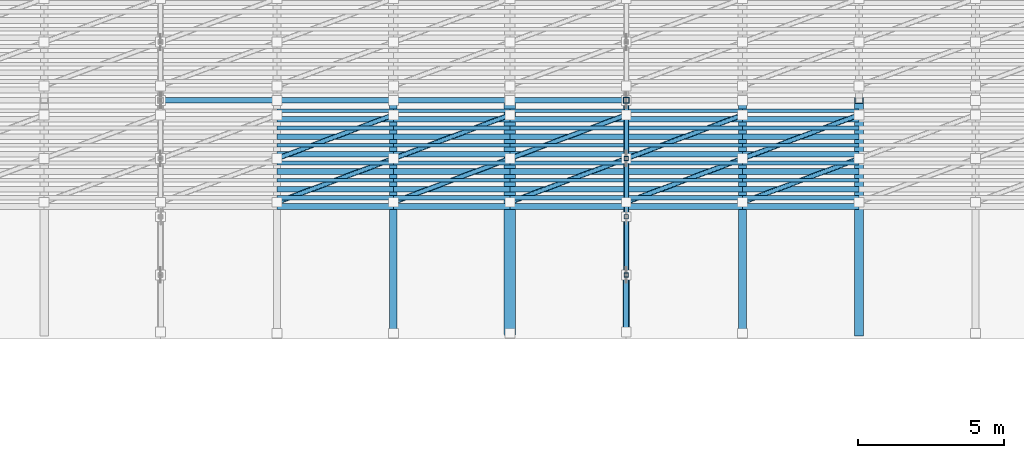
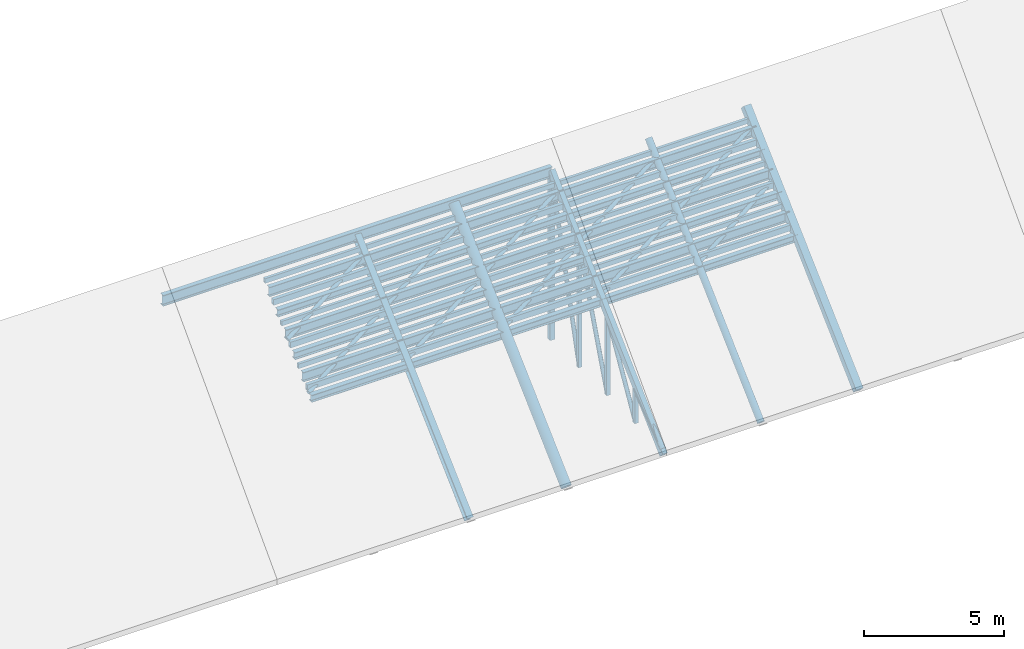
# One storey, part 5 of 18: 84 members.
"""IFC4 building model written with IfcOpenShell, lengths in metres."""

import ifcopenshell
import ifcopenshell.guid

model = None  # the IFC model being written
_history = None  # IfcOwnerHistory: only IFC2X3 demands one
_inside = {}  # id of a spatial element -> (the spatial element, [elements in it])
_under = {}  # id of a project, library or spatial element -> (it, [spatial elements below it])
_declared = {}  # id of a project -> (the project, [libraries it declares])
_typed = {}  # id of a type object -> (the type object, [elements of that type])
_made_of = {}  # id of a material, layer set ... -> (it, [elements and type objects made of it])


def new_model(schema):
    """Start an empty IFC model of exactly this schema.

    Asked for "IFC4X3", IfcOpenShell would pick the latest addendum, in which some entities
    have other attributes; the version numbers below select the first issue.
    IFC2X3 requires an IfcOwnerHistory on every rooted entity: one is made here for all.
    """
    global model, _history
    if schema == "IFC4X3":
        model = ifcopenshell.file(schema_version=(4, 3, 0, 0))
    else:
        model = ifcopenshell.file(schema=schema)
    _inside.clear()
    _under.clear()
    _declared.clear()
    _typed.clear()
    _made_of.clear()
    _history = None
    if model.schema == "IFC2X3":
        org = make("IfcOrganization", Name="unknown")
        user = make(
            "IfcPersonAndOrganization",
            ThePerson=make("IfcPerson", FamilyName="unknown"),
            TheOrganization=org,
        )
        app = make(
            "IfcApplication",
            ApplicationDeveloper=org,
            Version="unknown",
            ApplicationFullName="unknown",
            ApplicationIdentifier="unknown",
        )
        _history = make(
            "IfcOwnerHistory",
            OwningUser=user,
            OwningApplication=app,
            ChangeAction="ADDED",
            CreationDate=0,
        )
    return model


def make(cls, **values):
    """One entity of the class cls with the attributes given. An attribute that is None is left unset."""
    return model.create_entity(
        cls, **{name: value for name, value in values.items() if value is not None}
    )


def rooted(cls, **values):
    """An entity with a GlobalId (a new one), such as an element, a storey or a relation."""
    return make(cls, GlobalId=ifcopenshell.guid.new(), OwnerHistory=_history, **values)


def si_unit(unit_type, name, prefix=None):
    """IfcSIUnit, for example si_unit("LENGTHUNIT", "METRE", prefix="MILLI")."""
    return make("IfcSIUnit", UnitType=unit_type, Prefix=prefix, Name=name)


def assignment(units):
    """IfcUnitAssignment: the units of a project."""
    return None if units is None else make("IfcUnitAssignment", Units=units)


def point(xyz):
    """IfcCartesianPoint."""
    return None if xyz is None else make("IfcCartesianPoint", Coordinates=xyz)


def direction(xyz):
    """IfcDirection."""
    return None if xyz is None else make("IfcDirection", DirectionRatios=xyz)


def frame(location, z_axis=None, x_axis=None):
    """IfcAxis2Placement3D, a coordinate frame: its origin and axes. An axis left out is left unset."""
    return make(
        "IfcAxis2Placement3D",
        Location=point(location),
        Axis=direction(z_axis),
        RefDirection=direction(x_axis),
    )


def frame_2d(location, x_axis=None):
    """IfcAxis2Placement2D, a coordinate frame in the plane: its origin and x axis."""
    return make(
        "IfcAxis2Placement2D", Location=point(location), RefDirection=direction(x_axis)
    )


def origin():
    """The frame at (0, 0, 0) with its axes left unset."""
    return frame((0.0, 0.0, 0.0))


def origin_2d():
    """The frame at (0, 0) in the plane with its x axis left unset."""
    return frame_2d((0.0, 0.0))


def place(relative_to, where):
    """IfcLocalPlacement: puts the frame where relative to a parent placement (None: the world)."""
    return make(
        "IfcLocalPlacement", PlacementRelTo=relative_to, RelativePlacement=where
    )


def context(
    kind, dimensions, precision=None, world=None, true_north=None, identifier=None
):
    """IfcGeometricRepresentationContext, for example the 3D "Model" context."""
    return make(
        "IfcGeometricRepresentationContext",
        ContextIdentifier=identifier,
        ContextType=kind,
        CoordinateSpaceDimension=dimensions,
        Precision=precision,
        WorldCoordinateSystem=world,
        TrueNorth=true_north,
    )


def subcontext(parent, identifier, kind, view, scale=None):
    """IfcGeometricRepresentationSubContext, for example "Body" below "Model"."""
    return make(
        "IfcGeometricRepresentationSubContext",
        ContextIdentifier=identifier,
        ContextType=kind,
        ParentContext=parent,
        TargetScale=scale,
        TargetView=view,
    )


def project(units=None, contexts=None):
    """IfcProject with its units and contexts."""
    return rooted(
        "IfcProject",
        Name="project",
        RepresentationContexts=contexts,
        UnitsInContext=assignment(units),
    )


def spatial(cls, under=None, at=None, **own):
    """A site, building, storey or space (cls), placed at a placement, below another one or the project."""
    s = rooted(cls, ObjectPlacement=at, **own)
    if under is not None:
        _under.setdefault(under.id(), (under, []))[1].append(s)
    return s


def profile(cls, at=None, kind="AREA", **sizes):
    """A parametric profile (cls). Its sizes go by their IFC names, for example OverallWidth=200.0."""
    return make(cls, ProfileType=kind, Position=at, **sizes)


def hollow_rectangle(**sizes):
    """IfcRectangleHollowProfileDef."""
    return profile("IfcRectangleHollowProfileDef", **sizes)


def hollow_circle(**sizes):
    """IfcCircleHollowProfileDef."""
    return profile("IfcCircleHollowProfileDef", **sizes)


def i_section(**sizes):
    """IfcIShapeProfileDef."""
    return profile("IfcIShapeProfileDef", **sizes)


def extrude(swept, where, along, depth):
    """IfcExtrudedAreaSolid: the profile swept, set in the frame where, extruded along a direction by depth."""
    return make(
        "IfcExtrudedAreaSolid",
        SweptArea=swept,
        Position=where,
        ExtrudedDirection=direction(along),
        Depth=depth,
    )


def shape(context_of_items, identifier, shape_type, items):
    """IfcShapeRepresentation: the items that make up one representation, for example the "Body"."""
    return make(
        "IfcShapeRepresentation",
        ContextOfItems=context_of_items,
        RepresentationIdentifier=identifier,
        RepresentationType=shape_type,
        Items=items,
    )


def material(Name=None, Category=None):
    """IfcMaterial."""
    return make("IfcMaterial", Name=Name, Category=Category)


def material_profile(
    of_material, cross_section, Name=None, Category=None, Priority=None
):
    """IfcMaterialProfile: a cross section and its material."""
    return make(
        "IfcMaterialProfile",
        Name=Name,
        Material=of_material,
        Profile=cross_section,
        Priority=Priority,
        Category=Category,
    )


def profile_set(profiles, Name=None, composite=None):
    """IfcMaterialProfileSet."""
    return make(
        "IfcMaterialProfileSet",
        Name=Name,
        MaterialProfiles=profiles,
        CompositeProfile=composite,
    )


def made_of(thing, what):
    """Note that an element or type object is made of a material, layer set ...; save() writes the relation."""
    if what is not None:
        _made_of.setdefault(what.id(), (what, []))[1].append(thing)
    return thing


def type_object(cls, material=None, **own):
    """A type object (cls), such as IfcWallType, which elements share."""
    return made_of(rooted(cls, **own), material)


def element(
    cls,
    number,
    at=None,
    inside=None,
    cuts=None,
    type_object=None,
    material=None,
    context=None,
    identifier="Body",
    shape_type=None,
    held_by="IfcProductDefinitionShape",
    body=None,
    shapes=None,
    **own,
):
    """One element of the class cls, such as IfcWall. Its Tag is "e" and its number.

    at: its placement. inside: the storey or other place that contains it. cuts: it is an
    opening in that element (IfcRelVoidsElement). A single representation is given by context,
    identifier, shape_type and body (its items); several are given by shapes. held_by: the class
    of the entity that holds the representations. save() writes the other relations.
    """
    e = rooted(cls, Tag="e%d" % number, ObjectPlacement=at, **own)
    if body is not None:
        shapes = [shape(context, identifier, shape_type, body)]
    if shapes is not None:
        e.Representation = make(held_by, Representations=shapes)
    if inside is not None:
        _inside.setdefault(inside.id(), (inside, []))[1].append(e)
    if cuts is not None:
        rooted(
            "IfcRelVoidsElement", RelatingBuildingElement=cuts, RelatedOpeningElement=e
        )
    if type_object is not None:
        _typed.setdefault(type_object.id(), (type_object, []))[1].append(e)
    return made_of(e, material)


def aggregate(whole, parts):
    """IfcRelAggregates: a whole, such as a stair, and the parts it consists of."""
    return rooted("IfcRelAggregates", RelatingObject=whole, RelatedObjects=parts)


def save(model, path):
    """Write the relations noted so far, then the file.

    IfcRelAggregates (storeys below a building ...), IfcRelContainedInSpatialStructure (elements
    in a storey), IfcRelDefinesByType, IfcRelAssociatesMaterial and IfcRelDeclares: one each for
    every whole, place, type object, material and project.
    """
    for whole, parts in _under.values():
        aggregate(whole, parts)
    for where, things in _inside.values():
        rooted(
            "IfcRelContainedInSpatialStructure",
            RelatedElements=things,
            RelatingStructure=where,
        )
    for kind, things in _typed.values():
        rooted("IfcRelDefinesByType", RelatedObjects=things, RelatingType=kind)
    for what, things in _made_of.values():
        rooted("IfcRelAssociatesMaterial", RelatedObjects=things, RelatingMaterial=what)
    for by, libraries in _declared.values():
        rooted("IfcRelDeclares", RelatingContext=by, RelatedDefinitions=libraries)
    model.write(path)


model = new_model("IFC4")

# Units and contexts
model_context = context("Model", 3, precision=1e-05, world=origin(), true_north=direction((0.0, 1.0)))
body_context = subcontext(model_context, "Body", "Model", "MODEL_VIEW")
ifc_project = project(units=[si_unit("LENGTHUNIT", "METRE"), si_unit("AREAUNIT", "SQUARE_METRE"), si_unit("VOLUMEUNIT", "CUBIC_METRE"), si_unit("PLANEANGLEUNIT", "RADIAN"), si_unit("MASSUNIT", "GRAM", prefix="KILO")], contexts=[model_context])

# Site, building, storey
site_placement = place(None, origin())
site = spatial("IfcSite", under=ifc_project, at=site_placement, CompositionType="ELEMENT")
building_placement = place(site_placement, origin())
building = spatial("IfcBuilding", under=site, at=building_placement, Name="Serraluz Foothill Cableway Terminal", CompositionType="ELEMENT")
storey_placement = place(building_placement, frame((0.0, 0.0, 24.300048828125)))
storey = spatial("IfcBuildingStorey", under=building, at=storey_placement, Name="RF", CompositionType="ELEMENT", Elevation=24.300048828125)

# Members
ifc_material_1 = material(Name="Steel ASTM A572 Grade 50", Category="steel")
ifc_material_profile_1 = material_profile(ifc_material_1, hollow_circle(Radius=0.084228515625, WallThickness=0.010009765625, at=origin_2d()), Name="CHS168X10")
ifc_profile_set_1 = profile_set([ifc_material_profile_1], Name="Steel ASTM A572 Grade 50")
member_type_1 = type_object("IfcMemberType", Name="TYP-BR-CHS168", PredefinedType="BRACE", material=ifc_profile_set_1)
member_1_placement = place(storey_placement, frame((88.0, 58.0302734375, -4.568115234375), z_axis=(0.0, 0.502584169831, 0.864528283074), x_axis=(-1.0, 0.0, 0.0)))
element("IfcMember", 1, at=member_1_placement, inside=storey, type_object=member_type_1, Name="ROOF TRUSS TR-04 Diagonal 2", PredefinedType="BRACE", context=body_context, shape_type="SweptSolid", body=[
    extrude(hollow_circle(Radius=0.084228515625, WallThickness=0.010009765625, at=origin_2d()), origin(), (0.0, 0.0, 1.0), 3.85888671875),
])
member_2_placement = place(storey_placement, frame((88.0, 60.02099609375, -4.56396484375), z_axis=(0.0, 0.352230195063, 0.935913398604), x_axis=(-1.0, 0.0, 0.0)))
element("IfcMember", 2, at=member_2_placement, inside=storey, type_object=member_type_1, Name="ROOF TRUSS TR-04 Diagonal 3", PredefinedType="BRACE", context=body_context, shape_type="SweptSolid", body=[
    extrude(hollow_circle(Radius=0.084228515625, WallThickness=0.010009765625, at=origin_2d()), origin(), (0.0, 0.0, 1.0), 5.558837890625),
])
member_3_placement = place(storey_placement, frame((88.0, 62.01611328125, -4.562255859375), z_axis=(0.0, 0.26797823219, 0.963424967017), x_axis=(-1.0, 0.0, 0.0)))
element("IfcMember", 3, at=member_3_placement, inside=storey, type_object=member_type_1, Name="ROOF TRUSS TR-04 Diagonal 4", PredefinedType="BRACE", context=body_context, shape_type="SweptSolid", body=[
    extrude(hollow_circle(Radius=0.084228515625, WallThickness=0.010009765625, at=origin_2d()), origin(), (0.0, 0.0, 1.0), 7.343017578125),
])
for number, where, z_axis, x_axis, name in (
    (4, (76.0, 60.5, -0.641357421875), (0.889382269185, 0.333518350944, 0.31267345401), (-0.351123441588, 0.936329177569, 0.0), "Roof Lateral Wind Brace 0277"),
    (5, (76.0, 62.0, 0.764892578125), (0.889382269185, 0.333518350944, 0.31267345401), (-0.351123441588, 0.936329177569, 0.0), "Roof Lateral Wind Brace 0278"),
    (6, (80.0, 60.5, -0.641357421875), (0.889382269185, 0.333518350944, 0.31267345401), (-0.351123441588, 0.936329177569, 0.0), "Roof Lateral Wind Brace 0305"),
    (7, (80.0, 62.0, 0.764892578125), (0.889382269185, 0.333518350944, 0.31267345401), (-0.351123441588, 0.936329177569, 0.0), "Roof Lateral Wind Brace 0306"),
    (8, (84.0, 60.5, -0.641357421875), (0.889382269185, 0.333518350944, 0.31267345401), (-0.351123441588, 0.936329177569, 0.0), "Roof Lateral Wind Brace 0333"),
    (9, (84.0, 62.0, 0.764892578125), (0.889382269185, 0.333518350944, 0.31267345401), (-0.351123441588, 0.936329177569, 0.0), "Roof Lateral Wind Brace 0334"),
    (10, (88.0, 60.5, -0.641357421875), (0.889382269185, 0.333518350944, 0.31267345401), (-0.351123441588, 0.936329177569, 0.0), "Roof Lateral Wind Brace 0361"),
    (11, (88.0, 62.0, 0.764892578125), (0.889382269185, 0.333518350944, 0.31267345401), (-0.351123441588, 0.936329177569, 0.0), "Roof Lateral Wind Brace 0362"),
    (12, (92.0, 60.5, -0.641357421875), (0.889382269185, 0.333518350944, 0.31267345401), (-0.351123441588, 0.936329177569, 0.0), "Roof Lateral Wind Brace 0389"),
    (13, (92.0, 62.0, 0.764892578125), (0.889382269185, 0.333518350944, 0.31267345401), (-0.351123441588, 0.936329177569, 0.0), "Roof Lateral Wind Brace 0390"),
):
    element("IfcMember", number, at=place(storey_placement, frame(where, z_axis=z_axis, x_axis=x_axis)), inside=storey, type_object=member_type_1, Name=name, PredefinedType="BRACE", context=body_context, shape_type="SweptSolid", body=[
        extrude(hollow_circle(Radius=0.084228515625, WallThickness=0.010009765625, at=origin_2d()), origin(), (0.0, 0.0, 1.0), 4.49755859375),
    ])
ifc_material_profile_2 = material_profile(ifc_material_1, hollow_circle(Radius=0.109619140625, WallThickness=0.011962890625, at=origin_2d()), Name="CHS219X12")
ifc_profile_set_2 = profile_set([ifc_material_profile_2], Name="Steel ASTM A572 Grade 50")
member_type_2 = type_object("IfcMemberType", Name="TYP-BR-CHS219", PredefinedType="BRACE", material=ifc_profile_set_2)
member_4_placement = place(storey_placement, frame((88.0, 56.04736328125, -4.5830078125), z_axis=(0.0, 0.787528424659, 0.616278330265), x_axis=(-1.0, 0.0, 0.0)))
element("IfcMember", 14, at=member_4_placement, inside=storey, type_object=member_type_2, Name="ROOF TRUSS TR-04 Diagonal 1", PredefinedType="BRACE", context=body_context, shape_type="SweptSolid", body=[
    extrude(hollow_circle(Radius=0.109619140625, WallThickness=0.011962890625, at=origin_2d()), origin(), (0.0, 0.0, 1.0), 2.419189453125),
])
ifc_material_profile_3 = material_profile(ifc_material_1, hollow_circle(Radius=0.136474609375, WallThickness=0.011962890625, at=origin_2d()), Name="CHS273X12")
ifc_profile_set_3 = profile_set([ifc_material_profile_3], Name="Steel ASTM A572 Grade 50")
member_type_3 = type_object("IfcMemberType", Name="TYP-BR-CHS273", PredefinedType="BRACE", material=ifc_profile_set_3)
member_5_placement = place(storey_placement, frame((92.0, 56.0, -4.800048828125), z_axis=(0.0, 0.72953720414, 0.683941128881), x_axis=(-1.0, 0.0, 0.0)))
element("IfcMember", 15, at=member_5_placement, inside=storey, type_object=member_type_3, Name="Secondary Roof Rafter 0019", PredefinedType="BRACE", context=body_context, shape_type="SweptSolid", body=[
    extrude(hollow_circle(Radius=0.136474609375, WallThickness=0.011962890625, at=origin_2d()), origin(), (0.0, 0.0, 1.0), 10.9658203125),
])
ifc_material_profile_4 = material_profile(ifc_material_1, hollow_rectangle(XDim=0.14990234375, YDim=0.14990234375, WallThickness=0.010009765625, at=origin_2d()), Name="HSS150X150X10")
ifc_profile_set_4 = profile_set([ifc_material_profile_4], Name="Steel ASTM A572 Grade 50")
member_type_4 = type_object("IfcMemberType", Name="TYP-BR-HSS150", PredefinedType="BRACE", material=ifc_profile_set_4)
member_6_placement = place(storey_placement, frame((88.0, 58.0, -4.610107421875), z_axis=(0.0, 0.0, 1.0), x_axis=(1.0, 0.0, 0.0)))
element("IfcMember", 16, at=member_6_placement, inside=storey, type_object=member_type_4, Name="ROOF TRUSS TR-04 Web Post 1", PredefinedType="BRACE", context=body_context, shape_type="SweptSolid", body=[
    extrude(hollow_rectangle(XDim=0.14990234375, YDim=0.14990234375, WallThickness=0.010009765625, at=origin_2d()), origin(), (0.0, 0.0, 1.0), 1.545166015625),
])
member_7_placement = place(storey_placement, frame((88.0, 60.0, -4.610107421875), z_axis=(0.0, 0.0, 1.0), x_axis=(1.0, 0.0, 0.0)))
element("IfcMember", 17, at=member_7_placement, inside=storey, type_object=member_type_4, Name="ROOF TRUSS TR-04 Web Post 2", PredefinedType="BRACE", context=body_context, shape_type="SweptSolid", body=[
    extrude(hollow_rectangle(XDim=0.14990234375, YDim=0.14990234375, WallThickness=0.010009765625, at=origin_2d()), origin(), (0.0, 0.0, 1.0), 3.420166015625),
])
member_8_placement = place(storey_placement, frame((88.0, 62.0, -4.610107421875), z_axis=(0.0, 0.0, 1.0), x_axis=(1.0, 0.0, 0.0)))
element("IfcMember", 18, at=member_8_placement, inside=storey, type_object=member_type_4, Name="ROOF TRUSS TR-04 Web Post 3", PredefinedType="BRACE", context=body_context, shape_type="SweptSolid", body=[
    extrude(hollow_rectangle(XDim=0.14990234375, YDim=0.14990234375, WallThickness=0.010009765625, at=origin_2d()), origin(), (0.0, 0.0, 1.0), 5.295166015625),
])
ifc_material_profile_5 = material_profile(ifc_material_1, hollow_rectangle(XDim=0.199951171875, YDim=0.199951171875, WallThickness=0.011962890625, at=origin_2d()), Name="HSS200X200X12")
ifc_profile_set_5 = profile_set([ifc_material_profile_5], Name="Steel ASTM A572 Grade 50")
member_type_5 = type_object("IfcMemberType", Name="TYP-BR-HSS200", PredefinedType="BRACE", material=ifc_profile_set_5)
member_9_placement = place(storey_placement, frame((88.0, 64.0, -4.610107421875), z_axis=(0.0, 0.0, 1.0), x_axis=(1.0, 0.0, 0.0)))
element("IfcMember", 19, at=member_9_placement, inside=storey, type_object=member_type_5, Name="ROOF TRUSS TR-04 Web Post 4", PredefinedType="BRACE", context=body_context, shape_type="SweptSolid", body=[
    extrude(hollow_rectangle(XDim=0.199951171875, YDim=0.199951171875, WallThickness=0.011962890625, at=origin_2d()), origin(), (0.0, 0.0, 1.0), 7.170166015625),
])
ifc_material_profile_6 = material_profile(ifc_material_1, hollow_rectangle(XDim=0.300048828125, YDim=0.300048828125, WallThickness=0.01611328125, at=origin_2d()), Name="HSS300X300X16")
ifc_profile_set_6 = profile_set([ifc_material_profile_6], Name="Steel ASTM A572 Grade 50")
member_type_6 = type_object("IfcMemberType", Name="TYP-CH-HSS300", PredefinedType="CHORD", material=ifc_profile_set_6)
member_10_placement = place(storey_placement, frame((96.0, 56.0, -4.800048828125), z_axis=(0.0, 0.72953720414, 0.683941128881), x_axis=(-1.0, 0.0, 0.0)))
element("IfcMember", 20, at=member_10_placement, inside=storey, type_object=member_type_6, Name="Secondary Roof Rafter 0021", PredefinedType="CHORD", context=body_context, shape_type="SweptSolid", body=[
    extrude(hollow_rectangle(XDim=0.300048828125, YDim=0.300048828125, WallThickness=0.01611328125, at=origin_2d()), origin(), (0.0, 0.0, 1.0), 10.9658203125),
])
ifc_material_profile_7 = material_profile(ifc_material_1, hollow_rectangle(XDim=0.199951171875, YDim=0.300048828125, WallThickness=0.011962890625, at=origin_2d()), Name="HSS300X200X12")
ifc_profile_set_7 = profile_set([ifc_material_profile_7], Name="Steel ASTM A572 Grade 50")
member_type_7 = type_object("IfcMemberType", Name="TYP-CH-HSS300X200", PredefinedType="CHORD", material=ifc_profile_set_7)
member_11_placement = place(storey_placement, frame((88.0, 56.0, -4.800048828125), z_axis=(0.0, 0.72953720414, 0.683941128881), x_axis=(-1.0, 0.0, 0.0)))
element("IfcMember", 21, at=member_11_placement, inside=storey, type_object=member_type_7, Name="ROOF TRUSS TR-04 Top Chord 1", PredefinedType="CHORD", context=body_context, shape_type="SweptSolid", body=[
    extrude(hollow_rectangle(XDim=0.199951171875, YDim=0.300048828125, WallThickness=0.011962890625, at=origin_2d()), origin(), (0.0, 0.0, 1.0), 10.9658203125),
])
ifc_material_profile_8 = material_profile(ifc_material_1, hollow_rectangle(XDim=0.1201171875, YDim=0.199951171875, WallThickness=0.008056640625, at=origin_2d()), Name="HSS200X120X8")
ifc_profile_set_8 = profile_set([ifc_material_profile_8], Name="Steel ASTM A572 Grade 50")
member_type_8 = type_object("IfcMemberType", Name="TYP-PR-HSS200X120", PredefinedType="PURLIN", material=ifc_profile_set_8)
for number, where, z_axis, x_axis, name in (
    (22, (76.0, 61.25, 0.081787109375), (1.0, 0.0, 0.0), (0.0, 1.0, 0.0), "Secondary Roof Purlin 0256"),
    (23, (76.0, 62.449951171875, 1.206787109375), (1.0, 0.0, 0.0), (0.0, 1.0, 0.0), "Secondary Roof Purlin 0260"),
    (24, (76.0, 63.64990234375, 2.331787109375), (1.0, 0.0, 0.0), (0.0, 1.0, 0.0), "Secondary Roof Purlin 0264"),
    (25, (80.0, 61.25, 0.081787109375), (1.0, 0.0, 0.0), (0.0, 1.0, 0.0), "Secondary Roof Purlin 0284"),
    (26, (80.0, 62.449951171875, 1.206787109375), (1.0, 0.0, 0.0), (0.0, 1.0, 0.0), "Secondary Roof Purlin 0288"),
    (27, (80.0, 63.64990234375, 2.331787109375), (1.0, 0.0, 0.0), (0.0, 1.0, 0.0), "Secondary Roof Purlin 0292"),
    (28, (84.0, 61.25, 0.081787109375), (1.0, 0.0, 0.0), (0.0, 1.0, 0.0), "Secondary Roof Purlin 0312"),
    (29, (84.0, 62.449951171875, 1.206787109375), (1.0, 0.0, 0.0), (0.0, 1.0, 0.0), "Secondary Roof Purlin 0316"),
    (30, (84.0, 63.64990234375, 2.331787109375), (1.0, 0.0, 0.0), (0.0, 1.0, 0.0), "Secondary Roof Purlin 0320"),
    (31, (88.0, 61.25, 0.081787109375), (1.0, 0.0, 0.0), (0.0, 1.0, 0.0), "Secondary Roof Purlin 0340"),
    (32, (88.0, 62.449951171875, 1.206787109375), (1.0, 0.0, 0.0), (0.0, 1.0, 0.0), "Secondary Roof Purlin 0344"),
    (33, (88.0, 63.64990234375, 2.331787109375), (1.0, 0.0, 0.0), (0.0, 1.0, 0.0), "Secondary Roof Purlin 0348"),
    (34, (92.0, 61.25, 0.081787109375), (1.0, 0.0, 0.0), (0.0, 1.0, 0.0), "Secondary Roof Purlin 0368"),
    (35, (92.0, 62.449951171875, 1.206787109375), (1.0, 0.0, 0.0), (0.0, 1.0, 0.0), "Secondary Roof Purlin 0372"),
    (36, (92.0, 63.64990234375, 2.331787109375), (1.0, 0.0, 0.0), (0.0, 1.0, 0.0), "Secondary Roof Purlin 0376"),
):
    element("IfcMember", number, at=place(storey_placement, frame(where, z_axis=z_axis, x_axis=x_axis)), inside=storey, type_object=member_type_8, Name=name, PredefinedType="PURLIN", context=body_context, shape_type="SweptSolid", body=[
        extrude(hollow_rectangle(XDim=0.1201171875, YDim=0.199951171875, WallThickness=0.008056640625, at=origin_2d()), origin(), (0.0, 0.0, 1.0), 4.0),
    ])
ifc_material_profile_9 = material_profile(ifc_material_1, hollow_rectangle(XDim=0.14990234375, YDim=0.25, WallThickness=0.010009765625, at=origin_2d()), Name="HSS250X150X10")
ifc_profile_set_9 = profile_set([ifc_material_profile_9], Name="Steel ASTM A572 Grade 50")
member_type_9 = type_object("IfcMemberType", Name="TYP-PR-HSS250X150", PredefinedType="PURLIN", material=ifc_profile_set_9)
for number, where, z_axis, x_axis, name in (
    (37, (76.0, 60.64990234375, -0.480712890625), (1.0, 0.0, 0.0), (0.0, 1.0, 0.0), "Secondary Roof Purlin 0254"),
    (38, (76.0, 61.85009765625, 0.644287109375), (1.0, 0.0, 0.0), (0.0, 1.0, 0.0), "Secondary Roof Purlin 0258"),
    (39, (76.0, 63.050048828125, 1.769287109375), (1.0, 0.0, 0.0), (0.0, 1.0, 0.0), "Secondary Roof Purlin 0262"),
    (40, (80.0, 60.64990234375, -0.480712890625), (1.0, 0.0, 0.0), (0.0, 1.0, 0.0), "Secondary Roof Purlin 0282"),
    (41, (80.0, 61.85009765625, 0.644287109375), (1.0, 0.0, 0.0), (0.0, 1.0, 0.0), "Secondary Roof Purlin 0286"),
    (42, (80.0, 63.050048828125, 1.769287109375), (1.0, 0.0, 0.0), (0.0, 1.0, 0.0), "Secondary Roof Purlin 0290"),
    (43, (84.0, 60.64990234375, -0.480712890625), (1.0, 0.0, 0.0), (0.0, 1.0, 0.0), "Secondary Roof Purlin 0310"),
    (44, (84.0, 61.85009765625, 0.644287109375), (1.0, 0.0, 0.0), (0.0, 1.0, 0.0), "Secondary Roof Purlin 0314"),
    (45, (84.0, 63.050048828125, 1.769287109375), (1.0, 0.0, 0.0), (0.0, 1.0, 0.0), "Secondary Roof Purlin 0318"),
    (46, (88.0, 60.64990234375, -0.480712890625), (1.0, 0.0, 0.0), (0.0, 1.0, 0.0), "Secondary Roof Purlin 0338"),
    (47, (88.0, 61.85009765625, 0.644287109375), (1.0, 0.0, 0.0), (0.0, 1.0, 0.0), "Secondary Roof Purlin 0342"),
    (48, (88.0, 63.050048828125, 1.769287109375), (1.0, 0.0, 0.0), (0.0, 1.0, 0.0), "Secondary Roof Purlin 0346"),
    (49, (92.0, 60.64990234375, -0.480712890625), (1.0, 0.0, 0.0), (0.0, 1.0, 0.0), "Secondary Roof Purlin 0366"),
    (50, (92.0, 61.85009765625, 0.644287109375), (1.0, 0.0, 0.0), (0.0, 1.0, 0.0), "Secondary Roof Purlin 0370"),
    (51, (92.0, 63.050048828125, 1.769287109375), (1.0, 0.0, 0.0), (0.0, 1.0, 0.0), "Secondary Roof Purlin 0374"),
):
    element("IfcMember", number, at=place(storey_placement, frame(where, z_axis=z_axis, x_axis=x_axis)), inside=storey, type_object=member_type_9, Name=name, PredefinedType="PURLIN", context=body_context, shape_type="SweptSolid", body=[
        extrude(hollow_rectangle(XDim=0.14990234375, YDim=0.25, WallThickness=0.010009765625, at=origin_2d()), origin(), (0.0, 0.0, 1.0), 4.0),
    ])
ifc_material_2 = material(Name="Steel ASTM A992 Grade 50", Category="steel")
ifc_material_profile_10 = material_profile(ifc_material_2, i_section(OverallWidth=0.205078125, OverallDepth=0.31005859375, WebThickness=0.009521484375, FlangeThickness=0.016357421875, FilletRadius=0.012939453125, at=origin_2d()), Name="W12X50")
ifc_profile_set_10 = profile_set([ifc_material_profile_10], Name="Steel ASTM A992 Grade 50")
member_type_10 = type_object("IfcMemberType", Name="TYP-PR-W12X50", PredefinedType="PURLIN", material=ifc_profile_set_10)
for number, where, z_axis, x_axis, name in (
    (52, (76.0, 60.35009765625, -0.761962890625), (1.0, 0.0, 0.0), (0.0, 1.0, 0.0), "Secondary Roof Purlin 0253"),
    (53, (76.0, 61.550048828125, 0.363037109375), (1.0, 0.0, 0.0), (0.0, 1.0, 0.0), "Secondary Roof Purlin 0257"),
    (54, (76.0, 62.75, 1.488037109375), (1.0, 0.0, 0.0), (0.0, 1.0, 0.0), "Secondary Roof Purlin 0261"),
    (55, (80.0, 60.35009765625, -0.761962890625), (1.0, 0.0, 0.0), (0.0, 1.0, 0.0), "Secondary Roof Purlin 0281"),
    (56, (80.0, 61.550048828125, 0.363037109375), (1.0, 0.0, 0.0), (0.0, 1.0, 0.0), "Secondary Roof Purlin 0285"),
    (57, (80.0, 62.75, 1.488037109375), (1.0, 0.0, 0.0), (0.0, 1.0, 0.0), "Secondary Roof Purlin 0289"),
    (58, (84.0, 60.35009765625, -0.761962890625), (1.0, 0.0, 0.0), (0.0, 1.0, 0.0), "Secondary Roof Purlin 0309"),
    (59, (84.0, 61.550048828125, 0.363037109375), (1.0, 0.0, 0.0), (0.0, 1.0, 0.0), "Secondary Roof Purlin 0313"),
    (60, (84.0, 62.75, 1.488037109375), (1.0, 0.0, 0.0), (0.0, 1.0, 0.0), "Secondary Roof Purlin 0317"),
    (61, (88.0, 60.35009765625, -0.761962890625), (1.0, 0.0, 0.0), (0.0, 1.0, 0.0), "Secondary Roof Purlin 0337"),
    (62, (88.0, 61.550048828125, 0.363037109375), (1.0, 0.0, 0.0), (0.0, 1.0, 0.0), "Secondary Roof Purlin 0341"),
    (63, (88.0, 62.75, 1.488037109375), (1.0, 0.0, 0.0), (0.0, 1.0, 0.0), "Secondary Roof Purlin 0345"),
    (64, (92.0, 60.35009765625, -0.761962890625), (1.0, 0.0, 0.0), (0.0, 1.0, 0.0), "Secondary Roof Purlin 0365"),
    (65, (92.0, 61.550048828125, 0.363037109375), (1.0, 0.0, 0.0), (0.0, 1.0, 0.0), "Secondary Roof Purlin 0369"),
    (66, (92.0, 62.75, 1.488037109375), (1.0, 0.0, 0.0), (0.0, 1.0, 0.0), "Secondary Roof Purlin 0373"),
):
    element("IfcMember", number, at=place(storey_placement, frame(where, z_axis=z_axis, x_axis=x_axis)), inside=storey, type_object=member_type_10, Name=name, PredefinedType="PURLIN", context=body_context, shape_type="SweptSolid", body=[
        extrude(i_section(OverallWidth=0.205078125, OverallDepth=0.31005859375, WebThickness=0.009521484375, FlangeThickness=0.016357421875, FilletRadius=0.012939453125, at=origin_2d()), origin(), (0.0, 0.0, 1.0), 4.0),
    ])
ifc_material_profile_11 = material_profile(ifc_material_2, i_section(OverallWidth=0.180908203125, OverallDepth=0.4169921875, WebThickness=0.010986328125, FlangeThickness=0.018310546875, FilletRadius=0.013916015625, at=origin_2d()), Name="W16X57")
ifc_profile_set_11 = profile_set([ifc_material_profile_11], Name="Steel ASTM A992 Grade 50")
member_type_11 = type_object("IfcMemberType", Name="TYP-PR-W16X57", PredefinedType="PURLIN", material=ifc_profile_set_11)
for number, where, z_axis, x_axis, name in (
    (67, (76.0, 60.949951171875, -0.199462890625), (1.0, 0.0, 0.0), (0.0, 1.0, 0.0), "Secondary Roof Purlin 0255"),
    (68, (76.0, 62.14990234375, 0.925537109375), (1.0, 0.0, 0.0), (0.0, 1.0, 0.0), "Secondary Roof Purlin 0259"),
    (69, (76.0, 63.35009765625, 2.050537109375), (1.0, 0.0, 0.0), (0.0, 1.0, 0.0), "Secondary Roof Purlin 0263"),
    (70, (80.0, 60.949951171875, -0.199462890625), (1.0, 0.0, 0.0), (0.0, 1.0, 0.0), "Secondary Roof Purlin 0283"),
    (71, (80.0, 62.14990234375, 0.925537109375), (1.0, 0.0, 0.0), (0.0, 1.0, 0.0), "Secondary Roof Purlin 0287"),
    (72, (80.0, 63.35009765625, 2.050537109375), (1.0, 0.0, 0.0), (0.0, 1.0, 0.0), "Secondary Roof Purlin 0291"),
    (73, (84.0, 60.949951171875, -0.199462890625), (1.0, 0.0, 0.0), (0.0, 1.0, 0.0), "Secondary Roof Purlin 0311"),
    (74, (84.0, 62.14990234375, 0.925537109375), (1.0, 0.0, 0.0), (0.0, 1.0, 0.0), "Secondary Roof Purlin 0315"),
    (75, (84.0, 63.35009765625, 2.050537109375), (1.0, 0.0, 0.0), (0.0, 1.0, 0.0), "Secondary Roof Purlin 0319"),
    (76, (88.0, 60.949951171875, -0.199462890625), (1.0, 0.0, 0.0), (0.0, 1.0, 0.0), "Secondary Roof Purlin 0339"),
    (77, (88.0, 62.14990234375, 0.925537109375), (1.0, 0.0, 0.0), (0.0, 1.0, 0.0), "Secondary Roof Purlin 0343"),
    (78, (88.0, 63.35009765625, 2.050537109375), (1.0, 0.0, 0.0), (0.0, 1.0, 0.0), "Secondary Roof Purlin 0347"),
    (79, (92.0, 60.949951171875, -0.199462890625), (1.0, 0.0, 0.0), (0.0, 1.0, 0.0), "Secondary Roof Purlin 0367"),
    (80, (92.0, 62.14990234375, 0.925537109375), (1.0, 0.0, 0.0), (0.0, 1.0, 0.0), "Secondary Roof Purlin 0371"),
    (81, (92.0, 63.35009765625, 2.050537109375), (1.0, 0.0, 0.0), (0.0, 1.0, 0.0), "Secondary Roof Purlin 0375"),
):
    element("IfcMember", number, at=place(storey_placement, frame(where, z_axis=z_axis, x_axis=x_axis)), inside=storey, type_object=member_type_11, Name=name, PredefinedType="PURLIN", context=body_context, shape_type="SweptSolid", body=[
        extrude(i_section(OverallWidth=0.180908203125, OverallDepth=0.4169921875, WebThickness=0.010986328125, FlangeThickness=0.018310546875, FilletRadius=0.013916015625, at=origin_2d()), origin(), (0.0, 0.0, 1.0), 4.0),
    ])
ifc_material_profile_12 = material_profile(ifc_material_2, i_section(OverallWidth=0.193115234375, OverallDepth=0.467041015625, WebThickness=0.011474609375, FlangeThickness=0.01904296875, FilletRadius=0.014892578125, at=origin_2d()), Name="W18X65")
ifc_profile_set_12 = profile_set([ifc_material_profile_12], Name="Steel ASTM A992 Grade 50")
member_type_12 = type_object("IfcMemberType", Name="TYP-PR-W18X65", PredefinedType="PURLIN", material=ifc_profile_set_12)
member_12_placement = place(storey_placement, frame((72.0, 64.0, 2.679931640625), z_axis=(1.0, 0.0, 0.0), x_axis=(0.0, 1.0, 0.0)))
element("IfcMember", 82, at=member_12_placement, inside=storey, type_object=member_type_12, Name="Primary Roof Ridge/Eave Purlin 3-64", PredefinedType="PURLIN", context=body_context, shape_type="SweptSolid", body=[
    extrude(i_section(OverallWidth=0.193115234375, OverallDepth=0.467041015625, WebThickness=0.011474609375, FlangeThickness=0.01904296875, FilletRadius=0.014892578125, at=origin_2d()), origin(), (0.0, 0.0, 1.0), 16.0),
])
ifc_material_profile_13 = material_profile(ifc_material_1, hollow_circle(Radius=0.203125, WallThickness=0.01611328125, at=origin_2d()), Name="CHS406X16")
ifc_profile_set_13 = profile_set([ifc_material_profile_13], Name="Steel ASTM A572 Grade 50")
member_type_13 = type_object("IfcMemberType", Name="TYP-ST-CHS406", PredefinedType="STRUT", material=ifc_profile_set_13)
member_13_placement = place(storey_placement, frame((84.0, 56.0, -4.800048828125), z_axis=(0.0, 0.72953720414, 0.683941128881), x_axis=(-1.0, 0.0, 0.0)))
element("IfcMember", 83, at=member_13_placement, inside=storey, type_object=member_type_13, Name="Secondary Roof Rafter 0017", PredefinedType="STRUT", context=body_context, shape_type="SweptSolid", body=[
    extrude(hollow_circle(Radius=0.203125, WallThickness=0.01611328125, at=origin_2d()), origin(), (0.0, 0.0, 1.0), 10.9658203125),
])
ifc_material_profile_14 = material_profile(ifc_material_2, i_section(OverallWidth=0.25390625, OverallDepth=0.31103515625, WebThickness=0.010986328125, FlangeThickness=0.01708984375, FilletRadius=0.012939453125, at=origin_2d()), Name="W12X72")
ifc_profile_set_14 = profile_set([ifc_material_profile_14], Name="Steel ASTM A992 Grade 50")
member_type_14 = type_object("IfcMemberType", Name="TYP-ST-W12X72", PredefinedType="STRUT", material=ifc_profile_set_14)
member_14_placement = place(storey_placement, frame((80.0, 56.0, -4.800048828125), z_axis=(0.0, 0.72953720414, 0.683941128881), x_axis=(-1.0, 0.0, 0.0)))
element("IfcMember", 84, at=member_14_placement, inside=storey, type_object=member_type_14, Name="Secondary Roof Rafter 0015", PredefinedType="STRUT", context=body_context, shape_type="SweptSolid", body=[
    extrude(i_section(OverallWidth=0.25390625, OverallDepth=0.31103515625, WebThickness=0.010986328125, FlangeThickness=0.01708984375, FilletRadius=0.012939453125, at=origin_2d()), origin(), (0.0, 0.0, 1.0), 10.9658203125),
])

save(model, "model.ifc")
